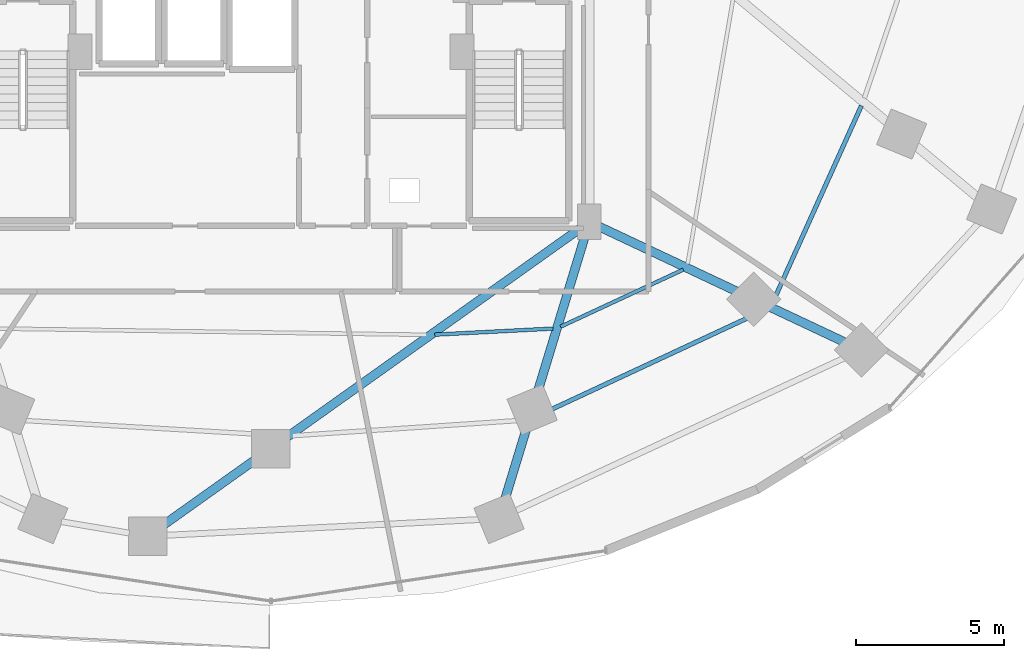
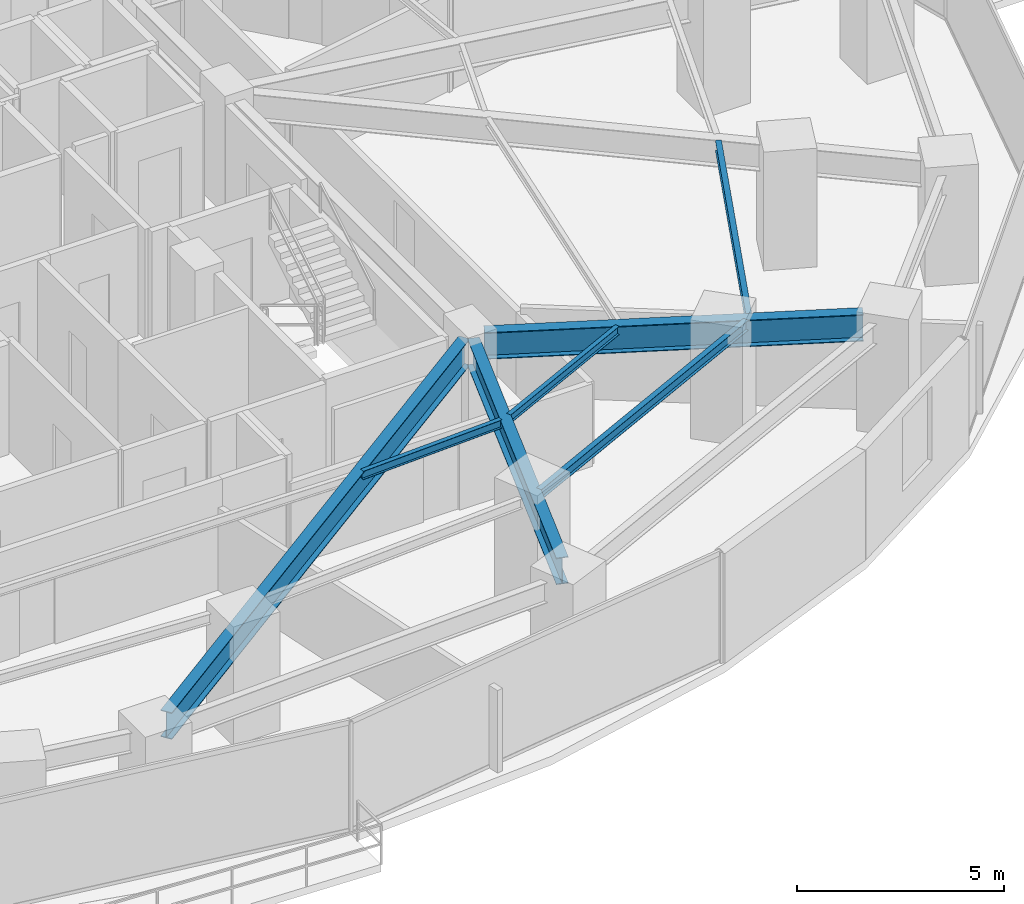
# One storey, part 12 of 33: 7 beams.
"""IFC4 building model written with IfcOpenShell, lengths in metres."""

from ifc_helpers import new_model, si_unit, direction, frame, origin, origin_2d, place, context, subcontext, project, spatial, i_section, extrude, material, material_profile, profile_set, type_object, element, save


model = new_model("IFC4")

# Units and contexts
model_context = context("Model", 3, precision=1e-05, world=origin(), true_north=direction((0.0, 1.0)))
body_context = subcontext(model_context, "Body", "Model", "MODEL_VIEW")
ifc_project = project(units=[si_unit("LENGTHUNIT", "METRE"), si_unit("AREAUNIT", "SQUARE_METRE"), si_unit("VOLUMEUNIT", "CUBIC_METRE"), si_unit("PLANEANGLEUNIT", "RADIAN"), si_unit("MASSUNIT", "GRAM", prefix="KILO")], contexts=[model_context])

# Site, building, storey
site_placement = place(None, origin())
site = spatial("IfcSite", under=ifc_project, at=site_placement, CompositionType="ELEMENT")
building_placement = place(site_placement, origin())
building = spatial("IfcBuilding", under=site, at=building_placement, Name="Vorneva Point Tower", CompositionType="ELEMENT")
storey_placement = place(building_placement, frame((0.0, 0.0, 38.0)))
storey = spatial("IfcBuildingStorey", under=building, at=storey_placement, Name="L09", CompositionType="ELEMENT", Elevation=38.0)

# Beams
ifc_material = material(Name="Steel S355", Category="steel")
ifc_material_profile_1 = material_profile(ifc_material, i_section(OverallWidth=0.300048828125, OverallDepth=0.7880859375, WebThickness=0.014404296875, FlangeThickness=0.02197265625, at=origin_2d()), Name="80Sh1")
ifc_profile_set_1 = profile_set([ifc_material_profile_1], Name="Steel S355")
beam_type_1 = type_object("IfcBeamType", Name="BM-GRD-80Sh1", PredefinedType="USERDEFINED", material=ifc_profile_set_1)
beam_1_placement = place(storey_placement, frame((34.360107421875, 6.209716796875, 2.845947265625), z_axis=(0.814752171819, 0.579809363943, 0.0), x_axis=(-0.579809363943, 0.814752171819, 0.0)))
element("IfcBeam", 1, at=beam_1_placement, inside=storey, type_object=beam_type_1, Name="L09 Radial Primary Girder 13", ObjectType="GIRDER", PredefinedType="USERDEFINED", context=body_context, shape_type="SweptSolid", body=[
    extrude(i_section(OverallWidth=0.300048828125, OverallDepth=0.7880859375, WebThickness=0.014404296875, FlangeThickness=0.02197265625, at=origin_2d()), origin(), (0.0, 0.0, 1.0), 17.321533203125),
])
beam_2_placement = place(storey_placement, frame((45.888916015625, 7.045654296875, 2.845947265625), z_axis=(0.29104183924, 0.956710325967, 0.0), x_axis=(-0.956710325967, 0.29104183924, 0.0)))
element("IfcBeam", 2, at=beam_2_placement, inside=storey, type_object=beam_type_1, Name="L09 Radial Primary Girder 14", ObjectType="GIRDER", PredefinedType="USERDEFINED", context=body_context, shape_type="SweptSolid", body=[
    extrude(i_section(OverallWidth=0.300048828125, OverallDepth=0.7880859375, WebThickness=0.014404296875, FlangeThickness=0.02197265625, at=origin_2d()), origin(), (0.0, 0.0, 1.0), 9.489990234375),
])
beam_3_placement = place(storey_placement, frame((57.361572265625, 12.39599609375, 2.845947265625), z_axis=(-0.904758409006, 0.425925135831, 0.0), x_axis=(-0.425925135831, -0.904758409006, 0.0)))
element("IfcBeam", 3, at=beam_3_placement, inside=storey, type_object=beam_type_1, Name="L09 Radial Primary Girder 15", ObjectType="GIRDER", PredefinedType="USERDEFINED", context=body_context, shape_type="SweptSolid", body=[
    extrude(i_section(OverallWidth=0.300048828125, OverallDepth=0.7880859375, WebThickness=0.014404296875, FlangeThickness=0.02197265625, at=origin_2d()), origin(), (0.0, 0.0, 1.0), 9.177978515625),
])
ifc_material_profile_2 = material_profile(ifc_material, i_section(OverallWidth=0.1240234375, OverallDepth=0.248046875, WebThickness=0.0048828125, FlangeThickness=0.008056640625, at=origin_2d()), Name="25B1")
ifc_profile_set_2 = profile_set([ifc_material_profile_2], Name="Steel S355")
beam_type_2 = type_object("IfcBeamType", Name="BM-JST-25B1", PredefinedType="JOIST", material=ifc_profile_set_2)
beam_4_placement = place(storey_placement, frame((43.5302734375, 12.64453125, 3.115966796875), z_axis=(0.99868702203, 0.051227258644, 0.0), x_axis=(-0.051227258644, 0.99868702203, 0.0)))
element("IfcBeam", 4, at=beam_4_placement, inside=storey, type_object=beam_type_2, Name="L09 Secondary Floor Beam 2.13", PredefinedType="JOIST", context=body_context, shape_type="SweptSolid", body=[
    extrude(i_section(OverallWidth=0.1240234375, OverallDepth=0.248046875, WebThickness=0.0048828125, FlangeThickness=0.008056640625, at=origin_2d()), origin(), (0.0, 0.0, 1.0), 3.99365234375),
])
beam_5_placement = place(storey_placement, frame((47.78173828125, 12.914306640625, 3.115966796875), z_axis=(0.906750590893, 0.421667364063, 0.0), x_axis=(-0.421667364063, 0.906750590893, 0.0)))
element("IfcBeam", 5, at=beam_5_placement, inside=storey, type_object=beam_type_2, Name="L09 Secondary Floor Beam 2.14", PredefinedType="JOIST", context=body_context, shape_type="SweptSolid", body=[
    extrude(i_section(OverallWidth=0.1240234375, OverallDepth=0.248046875, WebThickness=0.0048828125, FlangeThickness=0.008056640625, at=origin_2d()), origin(), (0.0, 0.0, 1.0), 4.56591796875),
])
ifc_material_profile_3 = material_profile(ifc_material, i_section(OverallWidth=0.14892578125, OverallDepth=0.298095703125, WebThickness=0.005615234375, FlangeThickness=0.008056640625, at=origin_2d()), Name="30B1")
ifc_profile_set_3 = profile_set([ifc_material_profile_3], Name="Steel S355")
beam_type_3 = type_object("IfcBeamType", Name="BM-JST-30B1", PredefinedType="JOIST", material=ifc_profile_set_3)
beam_6_placement = place(storey_placement, frame((46.842529296875, 9.82763671875, 3.091064453125), z_axis=(0.906403355504, 0.422413253971, 0.0), x_axis=(-0.422413253971, 0.906403355504, 0.0)))
element("IfcBeam", 6, at=beam_6_placement, inside=storey, type_object=beam_type_3, Name="L09 Secondary Floor Beam 1.14", PredefinedType="JOIST", context=body_context, shape_type="SweptSolid", body=[
    extrude(i_section(OverallWidth=0.14892578125, OverallDepth=0.298095703125, WebThickness=0.005615234375, FlangeThickness=0.008056640625, at=origin_2d()), origin(), (0.0, 0.0, 1.0), 8.718505859375),
])
beam_7_placement = place(storey_placement, frame((54.927001953125, 13.694580078125, 3.091064453125), z_axis=(0.410896568671, 0.911681967494, 0.0), x_axis=(-0.911681967494, 0.410896568671, 0.0)))
element("IfcBeam", 7, at=beam_7_placement, inside=storey, type_object=beam_type_3, Name="L09 Secondary Floor Beam 1.15", PredefinedType="JOIST", context=body_context, shape_type="SweptSolid", body=[
    extrude(i_section(OverallWidth=0.14892578125, OverallDepth=0.298095703125, WebThickness=0.005615234375, FlangeThickness=0.008056640625, at=origin_2d()), origin(), (0.0, 0.0, 1.0), 7.327880859375),
])

save(model, "model.ifc")
